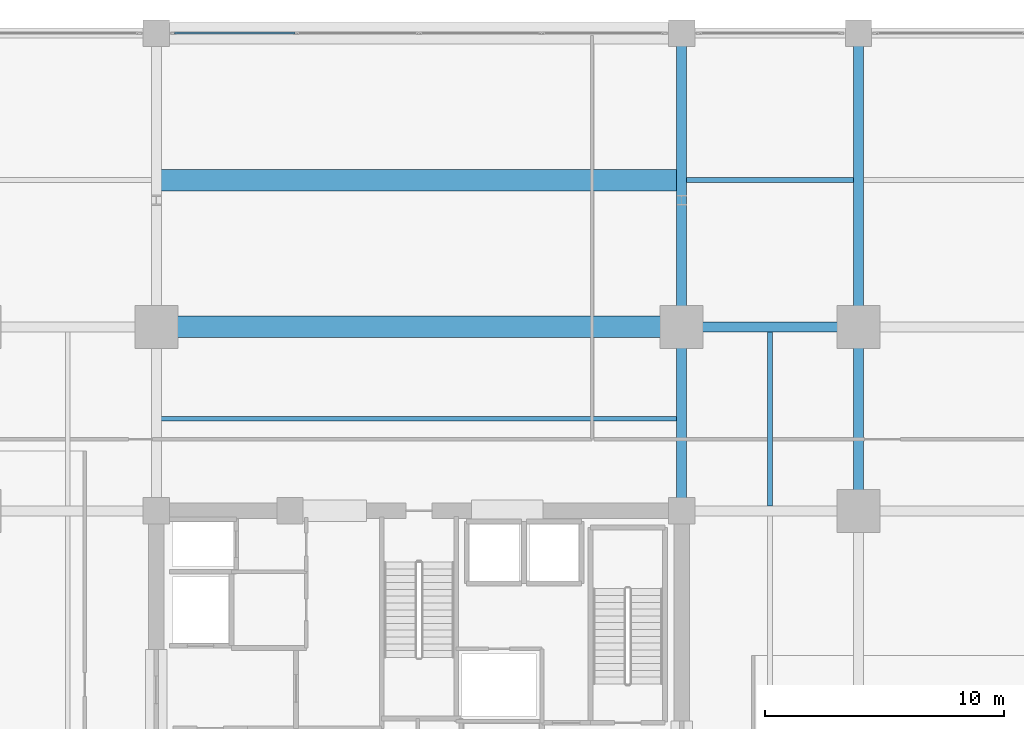
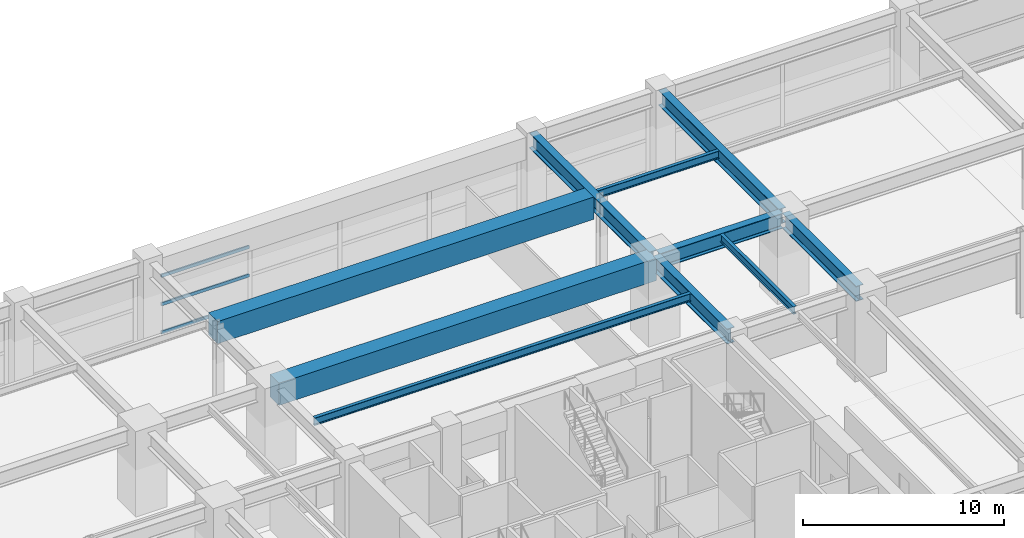
# One storey, part 16 of 35: 10 beams, 3 members, 1 element without a shape of its own.
"""IFC4 building model written with IfcOpenShell, lengths in metres."""

from ifc_helpers import new_model, si_unit, direction, frame, origin, origin_2d, place, context, subcontext, project, spatial, rectangle, hollow_rectangle, i_section, extrude, material, material_profile, profile_set, type_object, element, aggregate, save


model = new_model("IFC4")

# Units and contexts
model_context = context("Model", 3, precision=1e-05, world=origin(), true_north=direction((0.0, 1.0)))
body_context = subcontext(model_context, "Body", "Model", "MODEL_VIEW")
ifc_project = project(units=[si_unit("LENGTHUNIT", "METRE"), si_unit("AREAUNIT", "SQUARE_METRE"), si_unit("VOLUMEUNIT", "CUBIC_METRE"), si_unit("PLANEANGLEUNIT", "RADIAN"), si_unit("MASSUNIT", "GRAM", prefix="KILO")], contexts=[model_context])

# Site, building, storey
site_placement = place(None, origin())
site = spatial("IfcSite", under=ifc_project, at=site_placement, CompositionType="ELEMENT")
building_placement = place(site_placement, origin())
building = spatial("IfcBuilding", under=site, at=building_placement, Name="Kovane Verandah Tower", CompositionType="ELEMENT")
storey_placement = place(building_placement, frame((0.0, 0.0, 16.39990234375)))
storey = spatial("IfcBuildingStorey", under=building, at=storey_placement, Name="L03", CompositionType="ELEMENT", Elevation=16.39990234375)

# Beams
ifc_material_1 = material(Name="Concrete C80/95", Category="concrete")
ifc_material_profile_1 = material_profile(ifc_material_1, rectangle(XDim=0.89990234375, YDim=1.35009765625, at=origin_2d()), Name="RCB900x1350")
ifc_profile_set_1 = profile_set([ifc_material_profile_1], Name="Concrete C80/95")
beam_type_1 = type_object("IfcBeamType", Name="BM-TR-900x1350", PredefinedType="BEAM", material=ifc_profile_set_1)
beam_1_placement = place(storey_placement, frame((29.179931640625, 44.199951171875, 4.22509765625), z_axis=(1.0, 0.0, 0.0), x_axis=(0.0, 1.0, 0.0)))
element("IfcBeam", 1, at=beam_1_placement, inside=storey, type_object=beam_type_1, Name="L03 Primary Tower Girder G-RN2", PredefinedType="BEAM", context=body_context, shape_type="SweptSolid", body=[
    extrude(rectangle(XDim=0.89990234375, YDim=1.35009765625, at=origin_2d()), origin(), (0.0, 0.0, 1.0), 21.64013671875),
])
beam_2_placement = place(storey_placement, frame((29.208251953125, 50.35009765625, 4.22509765625), z_axis=(1.0, 0.0, 0.0), x_axis=(0.0, 1.0, 0.0)))
element("IfcBeam", 2, at=beam_2_placement, inside=storey, type_object=beam_type_1, Name="L03 Podium Secondary Joist 04", PredefinedType="BEAM", context=body_context, shape_type="SweptSolid", body=[
    extrude(rectangle(XDim=0.89990234375, YDim=1.35009765625, at=origin_2d()), origin(), (0.0, 0.0, 1.0), 21.58349609375),
])
ifc_material_2 = material(Name="Steel S460", Category="steel")
ifc_material_profile_2 = material_profile(ifc_material_2, i_section(OverallWidth=0.42041015625, OverallDepth=0.9208984375, WebThickness=0.021484375, FlangeThickness=0.03662109375, FilletRadius=0.024169921875, at=origin_2d()), Name="UB914x419x388")
ifc_profile_set_2 = profile_set([ifc_material_profile_2], Name="Steel S460")
beam_type_2 = type_object("IfcBeamType", Name="BM-UB914x388", PredefinedType="BEAM", material=ifc_profile_set_2)
beam_3_placement = place(storey_placement, frame((51.179931640625, 44.199951171875, 4.439697265625), z_axis=(1.0, 0.0, 0.0), x_axis=(0.0, 1.0, 0.0)))
element("IfcBeam", 3, at=beam_3_placement, inside=storey, type_object=beam_type_2, Name="L03 Primary Tower Girder G-RN3", PredefinedType="BEAM", context=body_context, shape_type="SweptSolid", body=[
    extrude(i_section(OverallWidth=0.42041015625, OverallDepth=0.9208984375, WebThickness=0.021484375, FlangeThickness=0.03662109375, FilletRadius=0.024169921875, at=origin_2d()), origin(), (0.0, 0.0, 1.0), 7.0400390625),
])
for number, where, z_axis, x_axis, name in (
    (4, (58.39990234375, 36.679931640625, 4.439697265625), (0.0, 1.0, 0.0), (-1.0, 0.0, 0.0), "L03 Primary Tower Girder G-RE3"),
    (5, (51.0, 36.679931640625, 4.439697265625), (0.0, 1.0, 0.0), (-1.0, 0.0, 0.0), "L03 Primary Tower Girder G-N2"),
):
    element("IfcBeam", number, at=place(storey_placement, frame(where, z_axis=z_axis, x_axis=x_axis)), inside=storey, type_object=beam_type_2, Name=name, PredefinedType="BEAM", context=body_context, shape_type="SweptSolid", body=[
        extrude(i_section(OverallWidth=0.42041015625, OverallDepth=0.9208984375, WebThickness=0.021484375, FlangeThickness=0.03662109375, FilletRadius=0.024169921875, at=origin_2d()), origin(), (0.0, 0.0, 1.0), 7.340087890625),
    ])
for number, where, z_axis, x_axis, name in (
    (6, (51.0, 44.3798828125, 4.439697265625), (0.0, 1.0, 0.0), (-1.0, 0.0, 0.0), "L03 Podium Garden Transfer Girder Y34"),
    (7, (58.39990234375, 44.3798828125, 4.439697265625), (0.0, 1.0, 0.0), (-1.0, 0.0, 0.0), "L03 Podium Garden Transfer Girder Y35"),
):
    element("IfcBeam", number, at=place(storey_placement, frame(where, z_axis=z_axis, x_axis=x_axis)), inside=storey, type_object=beam_type_2, Name=name, PredefinedType="BEAM", context=body_context, shape_type="SweptSolid", body=[
        extrude(i_section(OverallWidth=0.42041015625, OverallDepth=0.9208984375, WebThickness=0.021484375, FlangeThickness=0.03662109375, FilletRadius=0.024169921875, at=origin_2d()), origin(), (0.0, 0.0, 1.0), 11.940185546875),
    ])

# Curtain wall, members
ifc_material_3 = material(Name="Champagne Anodised Aluminium Frame with Low-E Clear Laminated Glass", Category="aluminium")
curtain_wall_type = type_object("IfcCurtainWallType", Name="CW-SYS-01-POD", PredefinedType="NOTDEFINED", material=ifc_material_3)
curtain_wall_placement = place(storey_placement, origin())
curtain_wall = element("IfcCurtainWall", 8, at=curtain_wall_placement, inside=storey, type_object=curtain_wall_type, Name="L03 North Podium Curtain Wall Bay 4", PredefinedType="NOTDEFINED")
ifc_material_4 = material(Name="Champagne Anodised Aluminium 6063-T6", Category="aluminium")
ifc_material_profile_3 = material_profile(ifc_material_4, hollow_rectangle(XDim=0.0849609375, YDim=0.18994140625, WallThickness=0.00390625, at=origin_2d()), Name="AL85x190x4")
ifc_profile_set_3 = profile_set([ifc_material_profile_3], Name="Champagne Anodised Aluminium 6063-T6")
member_type = type_object("IfcMemberType", Name="CW-TRN-85x190", PredefinedType="USERDEFINED", material=ifc_profile_set_3)
member_1_placement = place(storey_placement, frame((34.81005859375, 56.5, 0.050048828125), z_axis=(-1.0, 0.0, 0.0), x_axis=(0.0, -1.0, 0.0)))
member_1 = element("IfcMember", 9, at=member_1_placement, type_object=member_type, Name="L03 North Podium Curtain Wall Bay 4 Transom TB Bay 4", ObjectType="TRANSOM", PredefinedType="USERDEFINED", context=body_context, shape_type="SweptSolid", body=[
    extrude(hollow_rectangle(XDim=0.0849609375, YDim=0.18994140625, WallThickness=0.00390625, at=origin_2d()), origin(), (0.0, 0.0, 1.0), 5.0400390625),
])
member_2_placement = place(storey_placement, frame((34.81005859375, 56.5, 1.76513671875), z_axis=(-1.0, 0.0, 0.0), x_axis=(0.0, -1.0, 0.0)))
member_2 = element("IfcMember", 10, at=member_2_placement, type_object=member_type, Name="L03 North Podium Curtain Wall Bay 4 Transom TM Bay 4", ObjectType="TRANSOM", PredefinedType="USERDEFINED", context=body_context, shape_type="SweptSolid", body=[
    extrude(hollow_rectangle(XDim=0.0849609375, YDim=0.18994140625, WallThickness=0.00390625, at=origin_2d()), origin(), (0.0, 0.0, 1.0), 5.0400390625),
])
member_3_placement = place(storey_placement, frame((34.81005859375, 56.5, 3.47998046875), z_axis=(-1.0, 0.0, 0.0), x_axis=(0.0, -1.0, 0.0)))
member_3 = element("IfcMember", 11, at=member_3_placement, type_object=member_type, Name="L03 North Podium Curtain Wall Bay 4 Transom TT Bay 4", ObjectType="TRANSOM", PredefinedType="USERDEFINED", context=body_context, shape_type="SweptSolid", body=[
    extrude(hollow_rectangle(XDim=0.0849609375, YDim=0.18994140625, WallThickness=0.00390625, at=origin_2d()), origin(), (0.0, 0.0, 1.0), 5.0400390625),
])
aggregate(curtain_wall, [member_1, member_2, member_3])

# Beams
ifc_material_5 = material(Name="Steel S355", Category="steel")
ifc_material_profile_4 = material_profile(ifc_material_5, i_section(OverallWidth=0.19287109375, OverallDepth=0.46728515625, WebThickness=0.011474609375, FlangeThickness=0.01953125, FilletRadius=0.01025390625, at=origin_2d()), Name="UB457x191x98")
ifc_profile_set_4 = profile_set([ifc_material_profile_4], Name="Steel S355")
beam_type_3 = type_object("IfcBeamType", Name="JST-UB457x98", PredefinedType="JOIST", material=ifc_profile_set_4)
beam_4_placement = place(storey_placement, frame((29.208251953125, 40.35009765625, 4.66650390625), z_axis=(1.0, 0.0, 0.0), x_axis=(0.0, 1.0, 0.0)))
element("IfcBeam", 12, at=beam_4_placement, inside=storey, type_object=beam_type_3, Name="L03 Secondary Composite Joist J-N1", PredefinedType="JOIST", context=body_context, shape_type="SweptSolid", body=[
    extrude(i_section(OverallWidth=0.19287109375, OverallDepth=0.46728515625, WebThickness=0.011474609375, FlangeThickness=0.01953125, FilletRadius=0.01025390625, at=origin_2d()), origin(), (0.0, 0.0, 1.0), 21.58349609375),
])
beam_5_placement = place(storey_placement, frame((54.699951171875, 36.708251953125, 4.66650390625), z_axis=(0.0, 1.0, 0.0), x_axis=(-1.0, 0.0, 0.0)))
element("IfcBeam", 13, at=beam_5_placement, inside=storey, type_object=beam_type_3, Name="L03 Secondary Composite Joist J-NE1", PredefinedType="JOIST", context=body_context, shape_type="SweptSolid", body=[
    extrude(i_section(OverallWidth=0.19287109375, OverallDepth=0.46728515625, WebThickness=0.011474609375, FlangeThickness=0.01953125, FilletRadius=0.01025390625, at=origin_2d()), origin(), (0.0, 0.0, 1.0), 7.283447265625),
])
beam_6_placement = place(storey_placement, frame((51.208251953125, 50.35009765625, 4.66650390625), z_axis=(1.0, 0.0, 0.0), x_axis=(0.0, 1.0, 0.0)))
element("IfcBeam", 14, at=beam_6_placement, inside=storey, type_object=beam_type_3, Name="L03 Podium Secondary Joist 05", PredefinedType="JOIST", context=body_context, shape_type="SweptSolid", body=[
    extrude(i_section(OverallWidth=0.19287109375, OverallDepth=0.46728515625, WebThickness=0.011474609375, FlangeThickness=0.01953125, FilletRadius=0.01025390625, at=origin_2d()), origin(), (0.0, 0.0, 1.0), 6.983642578125),
])

save(model, "model.ifc")
